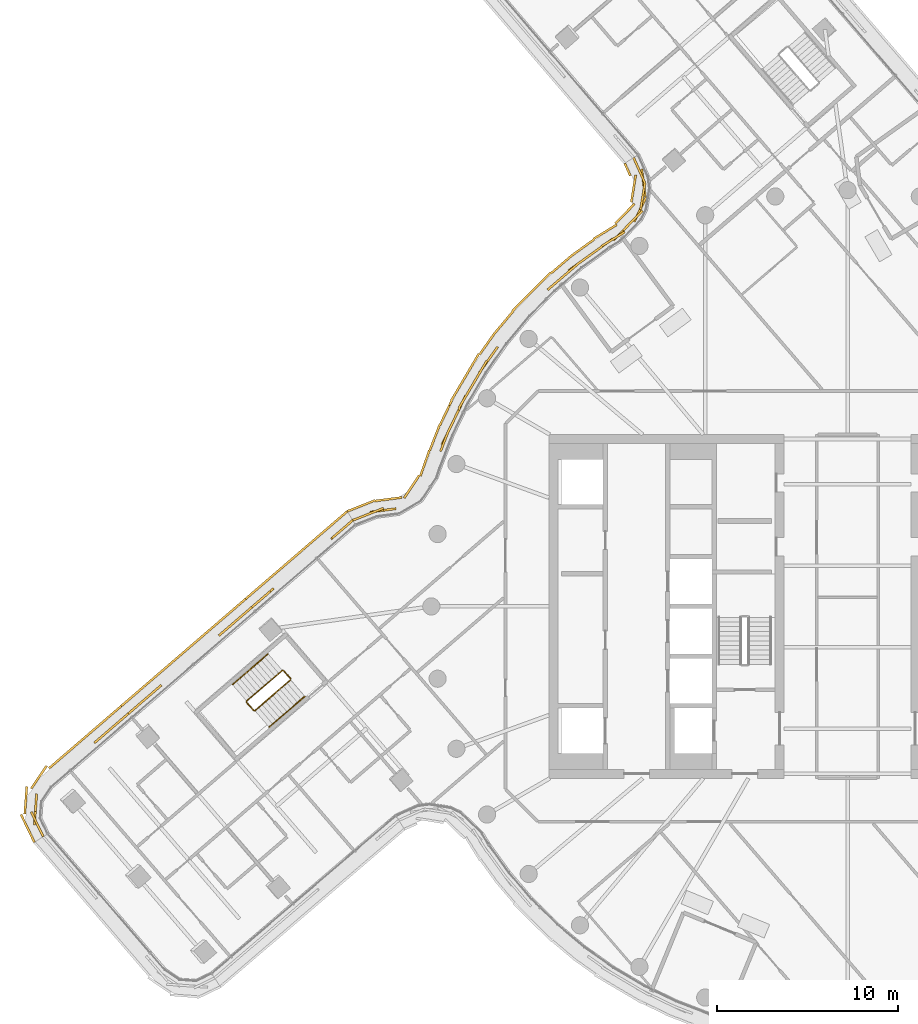
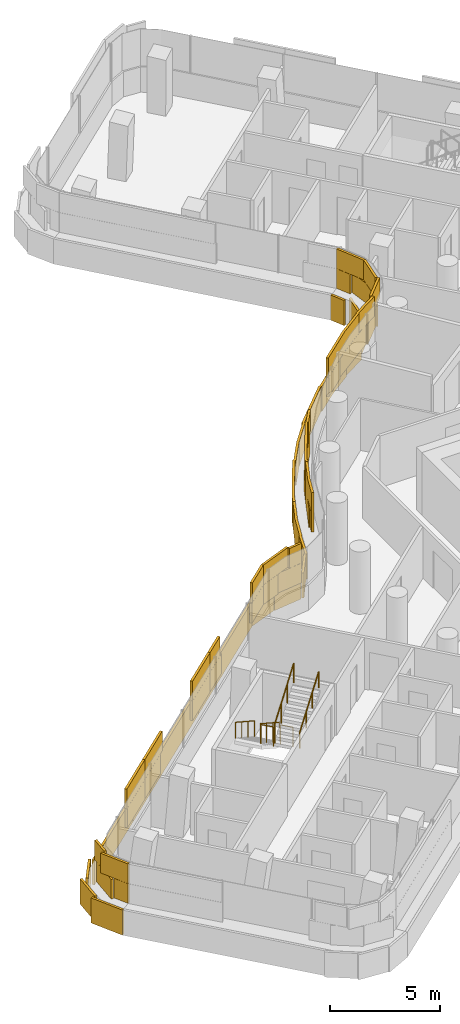
# One storey, part 30 of 34: 6 railings, 5 coverings.
"""IFC4 building model written with IfcOpenShell, lengths in metres."""

from ifc_helpers import new_model, si_unit, direction, frame, origin, origin_2d, place, context, subcontext, project, spatial, rectangle, circle, extrude, material, layer, layer_set, type_object, element, save


model = new_model("IFC4")

# Units and contexts
model_context = context("Model", 3, precision=1e-05, world=origin(), true_north=direction((0.0, 1.0)))
body_context = subcontext(model_context, "Body", "Model", "MODEL_VIEW")
ifc_project = project(units=[si_unit("LENGTHUNIT", "METRE"), si_unit("AREAUNIT", "SQUARE_METRE"), si_unit("VOLUMEUNIT", "CUBIC_METRE"), si_unit("PLANEANGLEUNIT", "RADIAN"), si_unit("MASSUNIT", "GRAM", prefix="KILO")], contexts=[model_context])

# Site, building, storey
site_placement = place(None, origin())
site = spatial("IfcSite", under=ifc_project, at=site_placement, CompositionType="ELEMENT")
building_placement = place(site_placement, origin())
building = spatial("IfcBuilding", under=site, at=building_placement, Name="Tamarind Cross Interchange Tower", CompositionType="ELEMENT")
storey_placement = place(building_placement, frame((0.0, 0.0, 182.5)))
storey = spatial("IfcBuildingStorey", under=building, at=storey_placement, Name="L45", CompositionType="ELEMENT", Elevation=182.5)

# Railings
ifc_material_1 = material(Name="Stair guard")
railing_type_1 = type_object("IfcRailingType", Name="Stair guard", PredefinedType="GUARDRAIL", material=ifc_material_1)
railing_1_placement = place(storey_placement, frame((-31.232177734375, -3.532470703125, 0.16357421875)))
element("IfcRailing", 1, at=railing_1_placement, inside=storey, type_object=railing_type_1, Name="L45 ST5 stair guard 1", PredefinedType="GUARDRAIL", context=body_context, shape_type="SweptSolid", body=[
    extrude(circle(Radius=0.02392578125, at=origin_2d()), frame((0.0, 0.0, 1.076171875), z_axis=(-0.641167676203, -0.552399171702, 0.53269049747), x_axis=(0.652714829922, -0.757603689801, 0.0)), (0.0, 0.0, 1.0), 3.072021484375),
    extrude(circle(Radius=0.02099609375, at=origin_2d()), origin(), (0.0, 0.0, 1.0), 1.052001953125),
    extrude(circle(Radius=0.02099609375, at=origin_2d()), frame((-0.656494140625, -0.565673828125, 0.54541015625)), (0.0, 0.0, 1.0), 1.052001953125),
    extrude(circle(Radius=0.02099609375, at=origin_2d()), frame((-1.313232421875, -1.13134765625, 1.091064453125)), (0.0, 0.0, 1.0), 1.052001953125),
    extrude(circle(Radius=0.02099609375, at=origin_2d()), frame((-1.9697265625, -1.697021484375, 1.636474609375)), (0.0, 0.0, 1.0), 1.052001953125),
])
railing_2_placement = place(storey_placement, frame((-33.207275390625, -5.300048828125, 1.800048828125)))
element("IfcRailing", 2, at=railing_2_placement, inside=storey, type_object=railing_type_1, Name="L45 ST5 stair guard 2", PredefinedType="GUARDRAIL", context=body_context, shape_type="SweptSolid", body=[
    extrude(circle(Radius=0.02392578125, at=origin_2d()), frame((0.0, 0.0, 1.076171875), z_axis=(0.652665907987, -0.75764583583, 0.0), x_axis=(0.75764583583, 0.652665907987, 0.0)), (0.0, 0.0, 1.0), 0.60009765625),
    extrude(circle(Radius=0.02099609375, at=origin_2d()), origin(), (0.0, 0.0, 1.0), 1.052001953125),
    extrude(circle(Radius=0.02099609375, at=origin_2d()), frame((0.3916015625, -0.45458984375, 0.0)), (0.0, 0.0, 1.0), 1.052001953125),
])
railing_3_placement = place(storey_placement, frame((-32.7451171875, -5.759765625, 1.963623046875)))
element("IfcRailing", 3, at=railing_3_placement, inside=storey, type_object=railing_type_1, Name="L45 ST5 stair guard 3", PredefinedType="GUARDRAIL", context=body_context, shape_type="SweptSolid", body=[
    extrude(circle(Radius=0.02392578125, at=origin_2d()), frame((0.0, 0.0, 1.076171875), z_axis=(0.641167676203, 0.552399171702, 0.53269049747), x_axis=(-0.652714829922, 0.757603689801, 0.0)), (0.0, 0.0, 1.0), 3.072021484375),
    extrude(circle(Radius=0.02099609375, at=origin_2d()), origin(), (0.0, 0.0, 1.0), 1.052001953125),
    extrude(circle(Radius=0.02099609375, at=origin_2d()), frame((0.656494140625, 0.565673828125, 0.54541015625)), (0.0, 0.0, 1.0), 1.052001953125),
    extrude(circle(Radius=0.02099609375, at=origin_2d()), frame((1.313232421875, 1.13134765625, 1.091064453125)), (0.0, 0.0, 1.0), 1.052001953125),
    extrude(circle(Radius=0.02099609375, at=origin_2d()), frame((1.9697265625, 1.697021484375, 1.636474609375)), (0.0, 0.0, 1.0), 1.052001953125),
])
railing_4_placement = place(storey_placement, frame((-31.161865234375, -3.53759765625, 0.0)))
element("IfcRailing", 4, at=railing_4_placement, inside=storey, type_object=railing_type_1, Name="L45 ST5 stair guard 4", PredefinedType="GUARDRAIL", context=body_context, shape_type="SweptSolid", body=[
    extrude(circle(Radius=0.02392578125, at=origin_2d()), frame((0.0, 0.0, 1.076171875), z_axis=(0.652899386032, -0.757444645977, 0.0), x_axis=(0.757444645977, 0.652899386032, 0.0)), (0.0, 0.0, 1.0), 0.60009765625),
    extrude(circle(Radius=0.02099609375, at=origin_2d()), origin(), (0.0, 0.0, 1.0), 1.052001953125),
    extrude(circle(Radius=0.02099609375, at=origin_2d()), frame((0.391845703125, -0.45458984375, 0.0)), (0.0, 0.0, 1.0), 1.052001953125),
])
ifc_material_2 = material(Name="Stair handrail")
railing_type_2 = type_object("IfcRailingType", Name="Stair handrail", PredefinedType="HANDRAIL", material=ifc_material_2)
railing_5_placement = place(storey_placement, frame((-32.015625, -2.623291015625, 0.16357421875)))
element("IfcRailing", 5, at=railing_5_placement, inside=storey, type_object=railing_type_2, Name="L45 ST5 stair handrail 1", PredefinedType="HANDRAIL", context=body_context, shape_type="SweptSolid", body=[
    extrude(circle(Radius=0.02392578125, at=origin_2d()), frame((0.0, 0.0, 0.8759765625), z_axis=(-0.641167676203, -0.552399171702, 0.53269049747), x_axis=(0.652714829922, -0.757603689801, 0.0)), (0.0, 0.0, 1.0), 3.072021484375),
    extrude(circle(Radius=0.02099609375, at=origin_2d()), origin(), (0.0, 0.0, 1.0), 0.851806640625),
    extrude(circle(Radius=0.02099609375, at=origin_2d()), frame((-0.656494140625, -0.565673828125, 0.54541015625)), (0.0, 0.0, 1.0), 0.851806640625),
    extrude(circle(Radius=0.02099609375, at=origin_2d()), frame((-1.313232421875, -1.13134765625, 1.091064453125)), (0.0, 0.0, 1.0), 0.851806640625),
    extrude(circle(Radius=0.02099609375, at=origin_2d()), frame((-1.9697265625, -1.697021484375, 1.636474609375)), (0.0, 0.0, 1.0), 0.851806640625),
])
railing_6_placement = place(storey_placement, frame((-31.9619140625, -6.6689453125, 1.963623046875)))
element("IfcRailing", 6, at=railing_6_placement, inside=storey, type_object=railing_type_2, Name="L45 ST5 stair handrail 2", PredefinedType="HANDRAIL", context=body_context, shape_type="SweptSolid", body=[
    extrude(circle(Radius=0.02392578125, at=origin_2d()), frame((0.0, 0.0, 0.8759765625), z_axis=(0.641167676203, 0.552399171702, 0.53269049747), x_axis=(-0.652714829922, 0.757603689801, 0.0)), (0.0, 0.0, 1.0), 3.072021484375),
    extrude(circle(Radius=0.02099609375, at=origin_2d()), origin(), (0.0, 0.0, 1.0), 0.851806640625),
    extrude(circle(Radius=0.02099609375, at=origin_2d()), frame((0.656494140625, 0.565673828125, 0.54541015625)), (0.0, 0.0, 1.0), 0.851806640625),
    extrude(circle(Radius=0.02099609375, at=origin_2d()), frame((1.313232421875, 1.13134765625, 1.091064453125)), (0.0, 0.0, 1.0), 0.851806640625),
    extrude(circle(Radius=0.02099609375, at=origin_2d()), frame((1.9697265625, 1.697021484375, 1.636474609375)), (0.0, 0.0, 1.0), 0.851806640625),
])

# Coverings
ifc_material_3 = material(Name="Terracotta", Category="masonry")
ifc_layer = layer(ifc_material_3, 0.1201171875)
ifc_layer_set = layer_set([ifc_layer], Name="Terracotta")
covering_type = type_object("IfcCoveringType", Name="Terracotta baguette screen unit", PredefinedType="MOLDING", material=ifc_layer_set)
covering_1_placement = place(storey_placement, origin())
element("IfcCovering", 7, at=covering_1_placement, inside=storey, type_object=covering_type, Name="SCR-L45-02-00", PredefinedType="MOLDING", context=body_context, shape_type="SweptSolid", body=[
    extrude(rectangle(XDim=0.760009765625, YDim=0.1201171875, at=origin_2d()), frame((-11.66845703125, 24.452392578125, 1.40380859375), z_axis=(0.0, 0.0, 1.0), x_axis=(0.408132559044, -0.912922677037, 0.0)), (0.0, 0.0, 1.0), 1.092041015625),
    extrude(rectangle(XDim=1.52001953125, YDim=0.1201171875, at=origin_2d()), frame((-11.27734375, 23.406005859375, 1.40380859375), z_axis=(0.0, 0.0, 1.0), x_axis=(0.129279474427, -0.991608197572, 0.0)), (0.0, 0.0, 1.0), 1.092041015625),
    extrude(rectangle(XDim=1.52001953125, YDim=0.1201171875, at=origin_2d()), frame((-11.462158203125, 21.93310546875, 1.40380859375), z_axis=(0.0, 0.0, 1.0), x_axis=(-0.436664943291, -0.899624214492, 0.0)), (0.0, 0.0, 1.0), 1.092041015625),
    extrude(rectangle(XDim=1.52001953125, YDim=0.1201171875, at=origin_2d()), frame((-12.393798828125, 20.777099609375, 1.40380859375), z_axis=(0.0, 0.0, 1.0), x_axis=(-0.695629171256, -0.71840104127, 0.0)), (0.0, 0.0, 1.0), 1.092041015625),
    extrude(rectangle(XDim=1.52001953125, YDim=0.1201171875, at=origin_2d()), frame((-13.581787109375, 19.875732421875, 1.40380859375), z_axis=(0.0, 0.0, 1.0), x_axis=(-0.811340475102, -0.584573890505, 0.0)), (0.0, 0.0, 1.0), 1.092041015625),
    extrude(rectangle(XDim=1.52001953125, YDim=0.1201171875, at=origin_2d()), frame((-14.798828125, 18.998779296875, 1.40380859375), z_axis=(0.0, 0.0, 1.0), x_axis=(-0.811340475102, -0.584573890505, 0.0)), (0.0, 0.0, 1.0), 1.092041015625),
    extrude(rectangle(XDim=1.52001953125, YDim=0.1201171875, at=origin_2d()), frame((-15.944091796875, 18.030517578125, 1.40380859375), z_axis=(0.0, 0.0, 1.0), x_axis=(-0.760295606781, -0.64957723968, 0.0)), (0.0, 0.0, 1.0), 1.092041015625),
    extrude(rectangle(XDim=1.52001953125, YDim=0.1201171875, at=origin_2d()), frame((-19.8984375, 13.5419921875, 1.40380859375), z_axis=(0.0, 0.0, 1.0), x_axis=(-0.577568978284, -0.816341886298, 0.0)), (0.0, 0.0, 1.0), 1.092041015625),
    extrude(rectangle(XDim=1.52001953125, YDim=0.1201171875, at=origin_2d()), frame((-20.699462890625, 12.275146484375, 1.40380859375), z_axis=(0.0, 0.0, 1.0), x_axis=(-0.508183308752, -0.861248933065, 0.0)), (0.0, 0.0, 1.0), 1.092041015625),
    extrude(rectangle(XDim=0.8916015625, YDim=0.1201171875, at=origin_2d()), frame((-21.294189453125, 11.244140625, 1.40380859375), z_axis=(0.0, 0.0, 1.0), x_axis=(-0.435326231914, -0.900272776334, 0.0)), (0.0, 0.0, 1.0), 1.092041015625),
    extrude(rectangle(XDim=1.510009765625, YDim=0.1201171875, at=origin_2d()), frame((-11.515380859375, 24.110107421875, 2.50390625), z_axis=(0.0, 0.0, 1.0), x_axis=(0.408132559044, -0.912922677037, 0.0)), (0.0, 0.0, 1.0), 1.092041015625),
    extrude(rectangle(XDim=1.52001953125, YDim=0.1201171875, at=origin_2d()), frame((-11.313720703125, 22.66455078125, 2.50390625), z_axis=(0.0, 0.0, 1.0), x_axis=(-0.16042668077, -0.987047759785, 0.0)), (0.0, 0.0, 1.0), 1.092041015625),
    extrude(rectangle(XDim=1.52001953125, YDim=0.1201171875, at=origin_2d()), frame((-11.8720703125, 21.31591796875, 2.50390625), z_axis=(0.0, 0.0, 1.0), x_axis=(-0.695629171256, -0.71840104127, 0.0)), (0.0, 0.0, 1.0), 1.092041015625),
    extrude(rectangle(XDim=1.52001953125, YDim=0.1201171875, at=origin_2d()), frame((-12.958740234375, 20.29248046875, 2.50390625), z_axis=(0.0, 0.0, 1.0), x_axis=(-0.852141312585, -0.523311745889, 0.0)), (0.0, 0.0, 1.0), 1.092041015625),
    extrude(rectangle(XDim=1.52001953125, YDim=0.1201171875, at=origin_2d()), frame((-14.190185546875, 19.437255859375, 2.50390625), z_axis=(0.0, 0.0, 1.0), x_axis=(-0.811340475102, -0.584573890505, 0.0)), (0.0, 0.0, 1.0), 1.092041015625),
    extrude(rectangle(XDim=1.52001953125, YDim=0.1201171875, at=origin_2d()), frame((-15.373779296875, 18.517822265625, 2.50390625), z_axis=(0.0, 0.0, 1.0), x_axis=(-0.760295606781, -0.64957723968, 0.0)), (0.0, 0.0, 1.0), 1.092041015625),
    extrude(rectangle(XDim=0.8291015625, YDim=0.1201171875, at=origin_2d()), frame((-16.25537109375, 17.7646484375, 2.50390625), z_axis=(0.0, 0.0, 1.0), x_axis=(-0.760295606781, -0.64957723968, 0.0)), (0.0, 0.0, 1.0), 1.092041015625),
    extrude(rectangle(XDim=0.990966796875, YDim=0.1201171875, at=origin_2d()), frame((-19.615234375, 13.9423828125, 2.50390625), z_axis=(0.0, 0.0, 1.0), x_axis=(-0.577568978284, -0.816341886298, 0.0)), (0.0, 0.0, 1.0), 1.092041015625),
    extrude(rectangle(XDim=1.52001953125, YDim=0.1201171875, at=origin_2d()), frame((-20.318359375, 12.921142578125, 2.50390625), z_axis=(0.0, 0.0, 1.0), x_axis=(-0.508183308752, -0.861248933065, 0.0)), (0.0, 0.0, 1.0), 1.092041015625),
    extrude(rectangle(XDim=1.52001953125, YDim=0.1201171875, at=origin_2d()), frame((-21.08056640625, 11.62939453125, 2.50390625), z_axis=(0.0, 0.0, 1.0), x_axis=(-0.508183308752, -0.861248933065, 0.0)), (0.0, 0.0, 1.0), 1.092041015625),
    extrude(rectangle(XDim=0.1416015625, YDim=0.1201171875, at=origin_2d()), frame((-21.45751953125, 10.906494140625, 2.50390625), z_axis=(0.0, 0.0, 1.0), x_axis=(-0.435326231914, -0.900272776334, 0.0)), (0.0, 0.0, 1.0), 1.092041015625),
    extrude(rectangle(XDim=0.760009765625, YDim=0.1201171875, at=origin_2d()), frame((-12.156494140625, 24.1376953125, 0.00390625), z_axis=(0.0, 0.0, 1.0), x_axis=(0.408132559044, -0.912922677037, 0.0)), (0.0, 0.0, 1.0), 1.39208984375),
    extrude(rectangle(XDim=1.52001953125, YDim=0.1201171875, at=origin_2d()), frame((-11.8271484375, 23.0830078125, 0.00390625), z_axis=(0.0, 0.0, 1.0), x_axis=(-0.16042668077, -0.987047759785, 0.0)), (0.0, 0.0, 1.0), 1.39208984375),
    extrude(rectangle(XDim=1.52001953125, YDim=0.1201171875, at=origin_2d()), frame((-12.299072265625, 21.7001953125, 0.00390625), z_axis=(0.0, 0.0, 1.0), x_axis=(-0.695629171256, -0.71840104127, 0.0)), (0.0, 0.0, 1.0), 1.39208984375),
    extrude(rectangle(XDim=1.52001953125, YDim=0.1201171875, at=origin_2d()), frame((-13.400390625, 20.69482421875, 0.00390625), z_axis=(0.0, 0.0, 1.0), x_axis=(-0.852141312585, -0.523311745889, 0.0)), (0.0, 0.0, 1.0), 1.39208984375),
    extrude(rectangle(XDim=1.52001953125, YDim=0.1201171875, at=origin_2d()), frame((-14.6259765625, 19.830810546875, 0.00390625), z_axis=(0.0, 0.0, 1.0), x_axis=(-0.811340475102, -0.584573890505, 0.0)), (0.0, 0.0, 1.0), 1.39208984375),
    extrude(rectangle(XDim=1.52001953125, YDim=0.1201171875, at=origin_2d()), frame((-15.804443359375, 18.90478515625, 0.00390625), z_axis=(0.0, 0.0, 1.0), x_axis=(-0.760295606781, -0.64957723968, 0.0)), (0.0, 0.0, 1.0), 1.39208984375),
    extrude(rectangle(XDim=1.52001953125, YDim=0.1201171875, at=origin_2d()), frame((-16.9326171875, 17.917236328125, 0.00390625), z_axis=(0.0, 0.0, 1.0), x_axis=(-0.704057148523, -0.710143317658, 0.0)), (0.0, 0.0, 1.0), 1.39208984375),
    extrude(rectangle(XDim=1.52001953125, YDim=0.1201171875, at=origin_2d()), frame((-17.98876953125, 16.85205078125, 0.00390625), z_axis=(0.0, 0.0, 1.0), x_axis=(-0.704057148523, -0.710143317658, 0.0)), (0.0, 0.0, 1.0), 1.39208984375),
    extrude(rectangle(XDim=1.52001953125, YDim=0.1201171875, at=origin_2d()), frame((-18.972900390625, 15.72119140625, 0.00390625), z_axis=(0.0, 0.0, 1.0), x_axis=(-0.643009266048, -0.765858396687, 0.0)), (0.0, 0.0, 1.0), 1.39208984375),
    extrude(rectangle(XDim=1.52001953125, YDim=0.1201171875, at=origin_2d()), frame((-19.8955078125, 14.5400390625, 0.00390625), z_axis=(0.0, 0.0, 1.0), x_axis=(-0.577568978284, -0.816341886298, 0.0)), (0.0, 0.0, 1.0), 1.39208984375),
    extrude(rectangle(XDim=1.52001953125, YDim=0.1201171875, at=origin_2d()), frame((-20.7548828125, 13.31103515625, 0.00390625), z_axis=(0.0, 0.0, 1.0), x_axis=(-0.508183308752, -0.861248933065, 0.0)), (0.0, 0.0, 1.0), 1.39208984375),
    extrude(rectangle(XDim=1.52001953125, YDim=0.1201171875, at=origin_2d()), frame((-21.51708984375, 12.01904296875, 0.00390625), z_axis=(0.0, 0.0, 1.0), x_axis=(-0.508183308752, -0.861248933065, 0.0)), (0.0, 0.0, 1.0), 1.39208984375),
    extrude(rectangle(XDim=0.293212890625, YDim=0.1201171875, at=origin_2d()), frame((-21.934814453125, 11.238037109375, 0.00390625), z_axis=(0.0, 0.0, 1.0), x_axis=(-0.435326231914, -0.900272776334, 0.0)), (0.0, 0.0, 1.0), 1.39208984375),
])
covering_2_placement = place(storey_placement, origin())
element("IfcCovering", 8, at=covering_2_placement, inside=storey, type_object=covering_type, Name="SCR-L45-02-01", PredefinedType="MOLDING", context=body_context, shape_type="SweptSolid", body=[
    extrude(rectangle(XDim=0.62841796875, YDim=0.1201171875, at=origin_2d()), frame((-21.62060546875, 10.56884765625, 1.40380859375), z_axis=(0.0, 0.0, 1.0), x_axis=(-0.435326231914, -0.900272776334, 0.0)), (0.0, 0.0, 1.0), 1.092041015625),
    extrude(rectangle(XDim=1.52001953125, YDim=0.1201171875, at=origin_2d()), frame((-22.081787109375, 9.615234375, 1.40380859375), z_axis=(0.0, 0.0, 1.0), x_axis=(-0.435326231914, -0.900272776334, 0.0)), (0.0, 0.0, 1.0), 1.092041015625),
    extrude(rectangle(XDim=0.3828125, YDim=0.1201171875, at=origin_2d()), frame((-22.42138671875, 8.742919921875, 1.40380859375), z_axis=(0.0, 0.0, 1.0), x_axis=(-0.359495435512, -0.933146843667, 0.0)), (0.0, 0.0, 1.0), 1.092041015625),
    extrude(rectangle(XDim=1.437255859375, YDim=0.1201171875, at=origin_2d()), frame((-25.659912109375, 5.306640625, 1.40380859375), z_axis=(0.0, 0.0, 1.0), x_axis=(-0.991474188982, -0.130303233197, 0.0)), (0.0, 0.0, 1.0), 1.092041015625),
    extrude(rectangle(XDim=1.073974609375, YDim=0.1201171875, at=origin_2d()), frame((-26.845458984375, 4.9521484375, 1.40380859375), z_axis=(0.0, 0.0, 1.0), x_axis=(-0.930522367695, -0.366235065524, 0.0)), (0.0, 0.0, 1.0), 1.092041015625),
    extrude(rectangle(XDim=1.37841796875, YDim=0.1201171875, at=origin_2d()), frame((-21.783935546875, 10.231201171875, 2.50390625), z_axis=(0.0, 0.0, 1.0), x_axis=(-0.435326231914, -0.900272776334, 0.0)), (0.0, 0.0, 1.0), 1.092041015625),
    extrude(rectangle(XDim=1.1328125, YDim=0.1201171875, at=origin_2d()), frame((-22.28662109375, 9.0927734375, 2.50390625), z_axis=(0.0, 0.0, 1.0), x_axis=(-0.359495435512, -0.933146843667, 0.0)), (0.0, 0.0, 1.0), 1.092041015625),
    extrude(rectangle(XDim=0.687255859375, YDim=0.1201171875, at=origin_2d()), frame((-25.288330078125, 5.35546875, 2.50390625), z_axis=(0.0, 0.0, 1.0), x_axis=(-0.991474188982, -0.130303233197, 0.0)), (0.0, 0.0, 1.0), 1.092041015625),
    extrude(rectangle(XDim=1.52001953125, YDim=0.1201171875, at=origin_2d()), frame((-26.350341796875, 5.14697265625, 2.50390625), z_axis=(0.0, 0.0, 1.0), x_axis=(-0.930522367695, -0.366235065524, 0.0)), (0.0, 0.0, 1.0), 1.092041015625),
    extrude(rectangle(XDim=0.323974609375, YDim=0.1201171875, at=origin_2d()), frame((-27.1943359375, 4.81494140625, 2.50390625), z_axis=(0.0, 0.0, 1.0), x_axis=(-0.930522367695, -0.366235065524, 0.0)), (0.0, 0.0, 1.0), 1.092041015625),
    extrude(rectangle(XDim=1.226806640625, YDim=0.1201171875, at=origin_2d()), frame((-22.265625, 10.5537109375, 0.00390625), z_axis=(0.0, 0.0, 1.0), x_axis=(-0.435326231914, -0.900272776334, 0.0)), (0.0, 0.0, 1.0), 1.39208984375),
    extrude(rectangle(XDim=1.52001953125, YDim=0.1201171875, at=origin_2d()), frame((-22.81494140625, 9.31787109375, 0.00390625), z_axis=(0.0, 0.0, 1.0), x_axis=(-0.359495435512, -0.933146843667, 0.0)), (0.0, 0.0, 1.0), 1.39208984375),
    extrude(rectangle(XDim=1.52001953125, YDim=0.1201171875, at=origin_2d()), frame((-23.35400390625, 7.918212890625, 0.00390625), z_axis=(0.0, 0.0, 1.0), x_axis=(-0.330663980303, -0.943748553445, 0.0)), (0.0, 0.0, 1.0), 1.39208984375),
    extrude(rectangle(XDim=1.52001953125, YDim=0.1201171875, at=origin_2d()), frame((-24.0810546875, 6.6171875, 0.00390625), z_axis=(0.0, 0.0, 1.0), x_axis=(-0.551557397631, -0.834136941466, 0.0)), (0.0, 0.0, 1.0), 1.39208984375),
    extrude(rectangle(XDim=1.52001953125, YDim=0.1201171875, at=origin_2d()), frame((-25.36669921875, 5.924072265625, 0.00390625), z_axis=(0.0, 0.0, 1.0), x_axis=(-0.991474188982, -0.130303233197, 0.0)), (0.0, 0.0, 1.0), 1.39208984375),
    extrude(rectangle(XDim=1.52001953125, YDim=0.1201171875, at=origin_2d()), frame((-26.81591796875, 5.580810546875, 0.00390625), z_axis=(0.0, 0.0, 1.0), x_axis=(-0.930522367695, -0.366235065524, 0.0)), (0.0, 0.0, 1.0), 1.39208984375),
    extrude(rectangle(XDim=0.14697265625, YDim=0.1201171875, at=origin_2d()), frame((-27.57275390625, 5.28271484375, 0.00390625), z_axis=(0.0, 0.0, 1.0), x_axis=(-0.930522367695, -0.366235065524, 0.0)), (0.0, 0.0, 1.0), 1.39208984375),
])
covering_3_placement = place(storey_placement, origin())
element("IfcCovering", 9, at=covering_3_placement, inside=storey, type_object=covering_type, Name="SCR-L45-03-00", PredefinedType="MOLDING", context=body_context, shape_type="SweptSolid", body=[
    extrude(rectangle(XDim=0.760009765625, YDim=0.1201171875, at=origin_2d()), frame((-27.62451171875, 4.5126953125, 1.40380859375), z_axis=(0.0, 0.0, 1.0), x_axis=(-0.757596883339, -0.652722730074, 0.0)), (0.0, 0.0, 1.0), 1.092041015625),
    extrude(rectangle(XDim=0.83642578125, YDim=0.1201171875, at=origin_2d()), frame((-28.2216796875, 3.998046875, 1.40380859375), z_axis=(0.0, 0.0, 1.0), x_axis=(-0.757596883339, -0.652722730074, 0.0)), (0.0, 0.0, 1.0), 1.092041015625),
    extrude(rectangle(XDim=0.9833984375, YDim=0.1201171875, at=origin_2d()), frame((-32.08544921875, 0.669189453125, 1.40380859375), z_axis=(0.0, 0.0, 1.0), x_axis=(-0.757596883339, -0.652722730074, 0.0)), (0.0, 0.0, 1.0), 1.092041015625),
    extrude(rectangle(XDim=0.613037109375, YDim=0.1201171875, at=origin_2d()), frame((-32.6826171875, 0.15478515625, 1.40380859375), z_axis=(0.0, 0.0, 1.0), x_axis=(-0.757596883339, -0.652722730074, 0.0)), (0.0, 0.0, 1.0), 1.092041015625),
    extrude(rectangle(XDim=1.510009765625, YDim=0.1201171875, at=origin_2d()), frame((-27.908447265625, 4.267822265625, 2.50390625), z_axis=(0.0, 0.0, 1.0), x_axis=(-0.757596883339, -0.652722730074, 0.0)), (0.0, 0.0, 1.0), 1.092041015625),
    extrude(rectangle(XDim=1.363037109375, YDim=0.1201171875, at=origin_2d()), frame((-32.3984375, 0.3994140625, 2.50390625), z_axis=(0.0, 0.0, 1.0), x_axis=(-0.757596883339, -0.652722730074, 0.0)), (0.0, 0.0, 1.0), 1.092041015625),
    extrude(rectangle(XDim=0.760009765625, YDim=0.1201171875, at=origin_2d()), frame((-27.92919921875, 5.0078125, 0.00390625), z_axis=(0.0, 0.0, 1.0), x_axis=(-0.757596883339, -0.652722730074, 0.0)), (0.0, 0.0, 1.0), 1.39208984375),
    extrude(rectangle(XDim=1.52001953125, YDim=0.1201171875, at=origin_2d()), frame((-28.777587890625, 4.27685546875, 0.00390625), z_axis=(0.0, 0.0, 1.0), x_axis=(-0.757596883339, -0.652722730074, 0.0)), (0.0, 0.0, 1.0), 1.39208984375),
    extrude(rectangle(XDim=1.52001953125, YDim=0.1201171875, at=origin_2d()), frame((-29.9140625, 3.297607421875, 0.00390625), z_axis=(0.0, 0.0, 1.0), x_axis=(-0.757596883339, -0.652722730074, 0.0)), (0.0, 0.0, 1.0), 1.39208984375),
    extrude(rectangle(XDim=1.52001953125, YDim=0.1201171875, at=origin_2d()), frame((-31.05029296875, 2.318603515625, 0.00390625), z_axis=(0.0, 0.0, 1.0), x_axis=(-0.757596883339, -0.652722730074, 0.0)), (0.0, 0.0, 1.0), 1.39208984375),
    extrude(rectangle(XDim=1.52001953125, YDim=0.1201171875, at=origin_2d()), frame((-32.186767578125, 1.339599609375, 0.00390625), z_axis=(0.0, 0.0, 1.0), x_axis=(-0.757596883339, -0.652722730074, 0.0)), (0.0, 0.0, 1.0), 1.39208984375),
    extrude(rectangle(XDim=0.670166015625, YDim=0.1201171875, at=origin_2d()), frame((-33.001220703125, 0.637939453125, 0.00390625), z_axis=(0.0, 0.0, 1.0), x_axis=(-0.757596883339, -0.652722730074, 0.0)), (0.0, 0.0, 1.0), 1.39208984375),
])
covering_4_placement = place(storey_placement, origin())
element("IfcCovering", 10, at=covering_4_placement, inside=storey, type_object=covering_type, Name="SCR-L45-03-01", PredefinedType="MOLDING", context=body_context, shape_type="SweptSolid", body=[
    extrude(rectangle(XDim=0.906982421875, YDim=0.1201171875, at=origin_2d()), frame((-33.250732421875, -0.334716796875, 1.40380859375), z_axis=(0.0, 0.0, 1.0), x_axis=(-0.757596883339, -0.652722730074, 0.0)), (0.0, 0.0, 1.0), 1.092041015625),
    extrude(rectangle(XDim=1.52001953125, YDim=0.1201171875, at=origin_2d()), frame((-34.15869140625, -1.116943359375, 1.40380859375), z_axis=(0.0, 0.0, 1.0), x_axis=(-0.757596883339, -0.652722730074, 0.0)), (0.0, 0.0, 1.0), 1.092041015625),
    extrude(rectangle(XDim=1.52001953125, YDim=0.1201171875, at=origin_2d()), frame((-38.704345703125, -5.033447265625, 1.40380859375), z_axis=(0.0, 0.0, 1.0), x_axis=(-0.757596883339, -0.652722730074, 0.0)), (0.0, 0.0, 1.0), 1.092041015625),
    extrude(rectangle(XDim=0.6240234375, YDim=0.1201171875, at=origin_2d()), frame((-39.505126953125, -5.723388671875, 1.40380859375), z_axis=(0.0, 0.0, 1.0), x_axis=(-0.757596883339, -0.652722730074, 0.0)), (0.0, 0.0, 1.0), 1.092041015625),
    extrude(rectangle(XDim=0.156982421875, YDim=0.1201171875, at=origin_2d()), frame((-32.966796875, -0.090087890625, 2.50390625), z_axis=(0.0, 0.0, 1.0), x_axis=(-0.757596883339, -0.652722730074, 0.0)), (0.0, 0.0, 1.0), 1.092041015625),
    extrude(rectangle(XDim=1.52001953125, YDim=0.1201171875, at=origin_2d()), frame((-33.590576171875, -0.62744140625, 2.50390625), z_axis=(0.0, 0.0, 1.0), x_axis=(-0.757596883339, -0.652722730074, 0.0)), (0.0, 0.0, 1.0), 1.092041015625),
    extrude(rectangle(XDim=0.7685546875, YDim=0.1201171875, at=origin_2d()), frame((-34.446044921875, -1.36474609375, 2.50390625), z_axis=(0.0, 0.0, 1.0), x_axis=(-0.757596883339, -0.652722730074, 0.0)), (0.0, 0.0, 1.0), 1.092041015625),
    extrude(rectangle(XDim=1.051513671875, YDim=0.1201171875, at=origin_2d()), frame((-38.309814453125, -4.693603515625, 2.50390625), z_axis=(0.0, 0.0, 1.0), x_axis=(-0.757596883339, -0.652722730074, 0.0)), (0.0, 0.0, 1.0), 1.092041015625),
    extrude(rectangle(XDim=1.3740234375, YDim=0.1201171875, at=origin_2d()), frame((-39.220947265625, -5.478515625, 2.50390625), z_axis=(0.0, 0.0, 1.0), x_axis=(-0.757596883339, -0.652722730074, 0.0)), (0.0, 0.0, 1.0), 1.092041015625),
    extrude(rectangle(XDim=0.849853515625, YDim=0.1201171875, at=origin_2d()), frame((-33.5771484375, 0.141845703125, 0.00390625), z_axis=(0.0, 0.0, 1.0), x_axis=(-0.757596883339, -0.652722730074, 0.0)), (0.0, 0.0, 1.0), 1.39208984375),
    extrude(rectangle(XDim=1.52001953125, YDim=0.1201171875, at=origin_2d()), frame((-34.459716796875, -0.61865234375, 0.00390625), z_axis=(0.0, 0.0, 1.0), x_axis=(-0.757596883339, -0.652722730074, 0.0)), (0.0, 0.0, 1.0), 1.39208984375),
    extrude(rectangle(XDim=1.52001953125, YDim=0.1201171875, at=origin_2d()), frame((-35.595947265625, -1.59765625, 0.00390625), z_axis=(0.0, 0.0, 1.0), x_axis=(-0.757596883339, -0.652722730074, 0.0)), (0.0, 0.0, 1.0), 1.39208984375),
    extrude(rectangle(XDim=1.52001953125, YDim=0.1201171875, at=origin_2d()), frame((-36.732421875, -2.576904296875, 0.00390625), z_axis=(0.0, 0.0, 1.0), x_axis=(-0.757596883339, -0.652722730074, 0.0)), (0.0, 0.0, 1.0), 1.39208984375),
    extrude(rectangle(XDim=1.52001953125, YDim=0.1201171875, at=origin_2d()), frame((-37.868896484375, -3.555908203125, 0.00390625), z_axis=(0.0, 0.0, 1.0), x_axis=(-0.757596883339, -0.652722730074, 0.0)), (0.0, 0.0, 1.0), 1.39208984375),
    extrude(rectangle(XDim=1.52001953125, YDim=0.1201171875, at=origin_2d()), frame((-39.005126953125, -4.534912109375, 0.00390625), z_axis=(0.0, 0.0, 1.0), x_axis=(-0.757596883339, -0.652722730074, 0.0)), (0.0, 0.0, 1.0), 1.39208984375),
    extrude(rectangle(XDim=0.751220703125, YDim=0.1201171875, at=origin_2d()), frame((-39.850341796875, -5.26318359375, 0.00390625), z_axis=(0.0, 0.0, 1.0), x_axis=(-0.757596883339, -0.652722730074, 0.0)), (0.0, 0.0, 1.0), 1.39208984375),
])
covering_5_placement = place(storey_placement, origin())
element("IfcCovering", 11, at=covering_5_placement, inside=storey, type_object=covering_type, Name="SCR-L45-03-02", PredefinedType="MOLDING", context=body_context, shape_type="SweptSolid", body=[
    extrude(rectangle(XDim=0.89599609375, YDim=0.1201171875, at=origin_2d()), frame((-40.0732421875, -6.212890625, 1.40380859375), z_axis=(0.0, 0.0, 1.0), x_axis=(-0.757596883339, -0.652722730074, 0.0)), (0.0, 0.0, 1.0), 1.092041015625),
    extrude(rectangle(XDim=1.52001953125, YDim=0.1201171875, at=origin_2d()), frame((-40.97705078125, -6.991455078125, 1.40380859375), z_axis=(0.0, 0.0, 1.0), x_axis=(-0.757596883339, -0.652722730074, 0.0)), (0.0, 0.0, 1.0), 1.092041015625),
    extrude(rectangle(XDim=1.52001953125, YDim=0.1201171875, at=origin_2d()), frame((-44.875244140625, -11.315185546875, 1.40380859375), z_axis=(0.0, 0.0, 1.0), x_axis=(-0.074157224945, -0.997246562285, 0.0)), (0.0, 0.0, 1.0), 1.092041015625),
    extrude(rectangle(XDim=0.772705078125, YDim=0.1201171875, at=origin_2d()), frame((-44.6083984375, -12.376953125, 1.40380859375), z_axis=(0.0, 0.0, 1.0), x_axis=(0.434401240466, -0.900719469248, 0.0)), (0.0, 0.0, 1.0), 1.092041015625),
    extrude(rectangle(XDim=0.14599609375, YDim=0.1201171875, at=origin_2d()), frame((-39.789306640625, -5.968017578125, 2.50390625), z_axis=(0.0, 0.0, 1.0), x_axis=(-0.757596883339, -0.652722730074, 0.0)), (0.0, 0.0, 1.0), 1.092041015625),
    extrude(rectangle(XDim=1.52001953125, YDim=0.1201171875, at=origin_2d()), frame((-40.408935546875, -6.501953125, 2.50390625), z_axis=(0.0, 0.0, 1.0), x_axis=(-0.757596883339, -0.652722730074, 0.0)), (0.0, 0.0, 1.0), 1.092041015625),
    extrude(rectangle(XDim=0.848388671875, YDim=0.1201171875, at=origin_2d()), frame((-41.294677734375, -7.26513671875, 2.50390625), z_axis=(0.0, 0.0, 1.0), x_axis=(-0.757596883339, -0.652722730074, 0.0)), (0.0, 0.0, 1.0), 1.092041015625),
    extrude(rectangle(XDim=0.971435546875, YDim=0.1201171875, at=origin_2d()), frame((-44.839599609375, -10.8359375, 2.50390625), z_axis=(0.0, 0.0, 1.0), x_axis=(-0.074157224945, -0.997246562285, 0.0)), (0.0, 0.0, 1.0), 1.092041015625),
    extrude(rectangle(XDim=1.52001953125, YDim=0.1201171875, at=origin_2d()), frame((-44.774169921875, -12.033447265625, 2.50390625), z_axis=(0.0, 0.0, 1.0), x_axis=(0.434401240466, -0.900719469248, 0.0)), (0.0, 0.0, 1.0), 1.092041015625),
    extrude(rectangle(XDim=0.768798828125, YDim=0.1201171875, at=origin_2d()), frame((-40.426025390625, -5.75927734375, 0.00390625), z_axis=(0.0, 0.0, 1.0), x_axis=(-0.757596883339, -0.652722730074, 0.0)), (0.0, 0.0, 1.0), 1.39208984375),
    extrude(rectangle(XDim=1.52001953125, YDim=0.1201171875, at=origin_2d()), frame((-41.278076171875, -6.4931640625, 0.00390625), z_axis=(0.0, 0.0, 1.0), x_axis=(-0.757596883339, -0.652722730074, 0.0)), (0.0, 0.0, 1.0), 1.39208984375),
    extrude(rectangle(XDim=1.52001953125, YDim=0.1201171875, at=origin_2d()), frame((-42.414306640625, -7.47216796875, 0.00390625), z_axis=(0.0, 0.0, 1.0), x_axis=(-0.757596883339, -0.652722730074, 0.0)), (0.0, 0.0, 1.0), 1.39208984375),
    extrude(rectangle(XDim=1.52001953125, YDim=0.1201171875, at=origin_2d()), frame((-43.55078125, -8.451171875, 0.00390625), z_axis=(0.0, 0.0, 1.0), x_axis=(-0.757596883339, -0.652722730074, 0.0)), (0.0, 0.0, 1.0), 1.39208984375),
    extrude(rectangle(XDim=1.52001953125, YDim=0.1201171875, at=origin_2d()), frame((-44.679443359375, -9.437255859375, 0.00390625), z_axis=(0.0, 0.0, 1.0), x_axis=(-0.562845321819, -0.826562244303, 0.0)), (0.0, 0.0, 1.0), 1.39208984375),
    extrude(rectangle(XDim=1.52001953125, YDim=0.1201171875, at=origin_2d()), frame((-45.406494140625, -10.718017578125, 0.00390625), z_axis=(0.0, 0.0, 1.0), x_axis=(-0.074157224945, -0.997246562285, 0.0)), (0.0, 0.0, 1.0), 1.39208984375),
    extrude(rectangle(XDim=1.52001953125, YDim=0.1201171875, at=origin_2d()), frame((-45.340576171875, -12.180419921875, 0.00390625), z_axis=(0.0, 0.0, 1.0), x_axis=(0.434401240466, -0.900719469248, 0.0)), (0.0, 0.0, 1.0), 1.39208984375),
    extrude(rectangle(XDim=0.212158203125, YDim=0.1201171875, at=origin_2d()), frame((-44.972900390625, -12.9423828125, 0.00390625), z_axis=(0.0, 0.0, 1.0), x_axis=(0.434401240466, -0.900719469248, 0.0)), (0.0, 0.0, 1.0), 1.39208984375),
])

save(model, "model.ifc")
